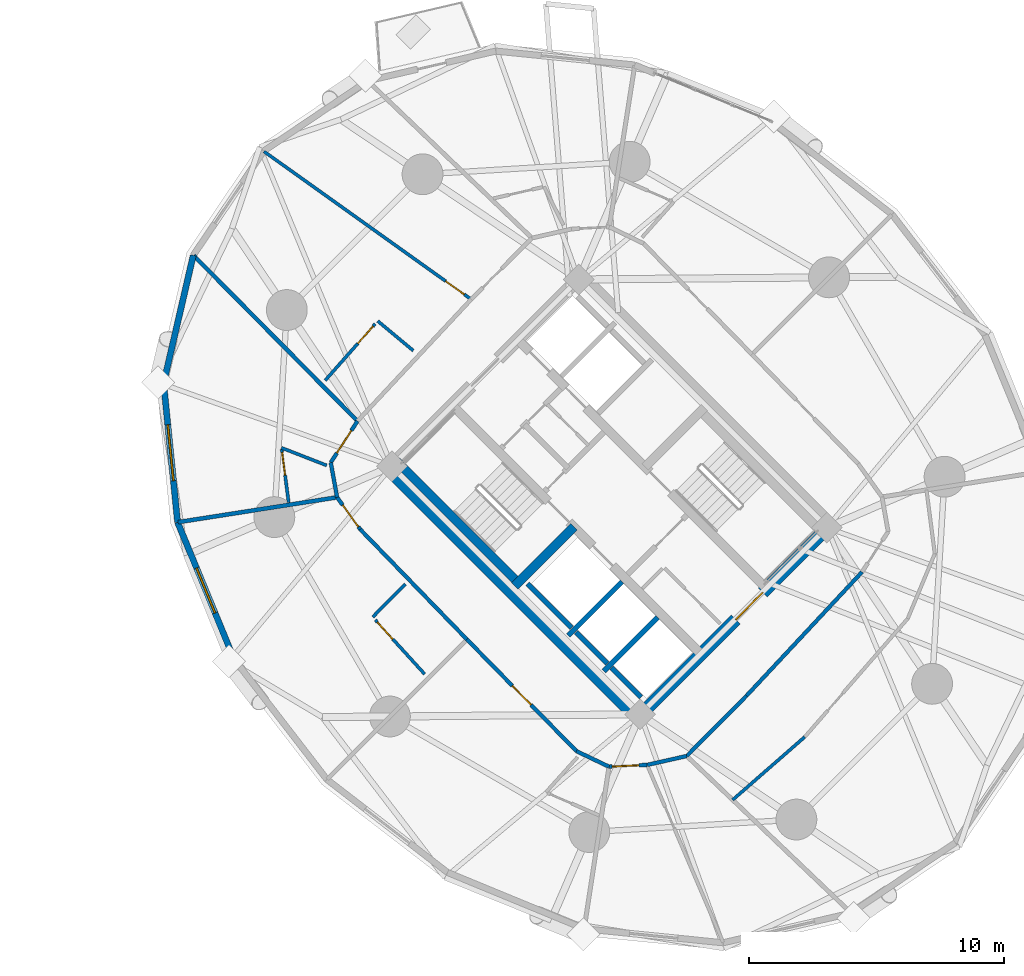
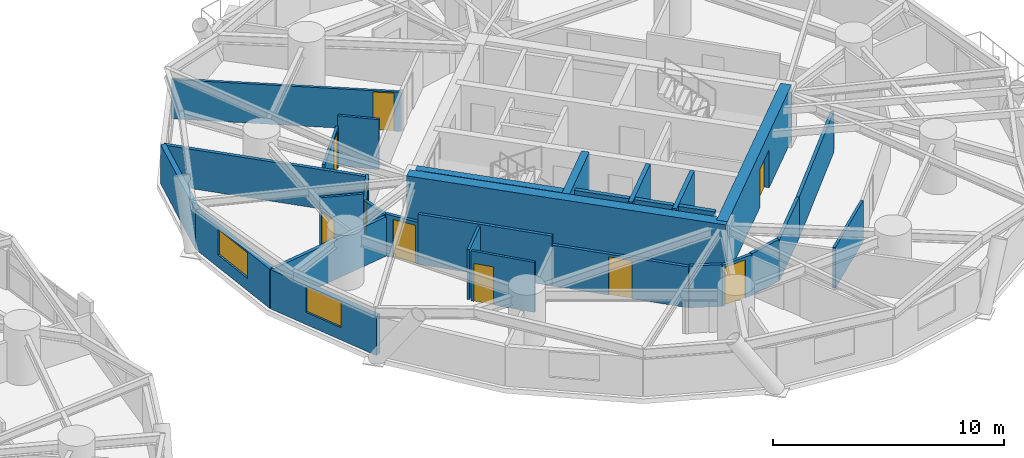
# One storey, part 13 of 19: 32 walls, 9 doors, 2 windows, 11 openings.
"""IFC4 building model written with IfcOpenShell, lengths in metres."""

from ifc_helpers import new_model, si_unit, direction, frame, frame_2d, origin, place, context, subcontext, project, spatial, rectangle, extrude, source, transform, mapped, material, layer, layer_set, type_object, element, fill, save


model = new_model("IFC4")

# Units and contexts
model_context = context("Model", 3, precision=1e-05, world=origin(), true_north=direction((0.0, 1.0)))
body_context = subcontext(model_context, "Body", "Model", "MODEL_VIEW")
ifc_project = project(units=[si_unit("LENGTHUNIT", "METRE"), si_unit("AREAUNIT", "SQUARE_METRE"), si_unit("VOLUMEUNIT", "CUBIC_METRE"), si_unit("PLANEANGLEUNIT", "RADIAN"), si_unit("MASSUNIT", "GRAM", prefix="KILO")], contexts=[model_context])

# Site, building, storey
site_placement = place(None, origin())
site = spatial("IfcSite", under=ifc_project, at=site_placement, CompositionType="ELEMENT")
building_placement = place(site_placement, origin())
building = spatial("IfcBuilding", under=site, at=building_placement, Name="Cununo Teusaquillo Station Towers", CompositionType="ELEMENT")
storey_placement = place(building_placement, frame((0.0, 0.0, 48.18994140625)))
storey = spatial("IfcBuildingStorey", under=building, at=storey_placement, Name="L14", CompositionType="ELEMENT", Elevation=48.18994140625)

# Walls
ifc_material_1 = material(Name="Concrete C50/60", Category="concrete")
ifc_layer_1 = layer(ifc_material_1, 0.199951171875)
ifc_layer_set_1 = layer_set([ifc_layer_1], Name="Concrete C50/60")
wall_type_1 = type_object("IfcWallType", Name="WL-CORE-200", PredefinedType="SHEAR", material=ifc_layer_set_1)
wall_1_placement = place(storey_placement, frame((55.8876953125, 19.0693359375, 0.0), z_axis=(0.0, 0.0, 1.0), x_axis=(0.707106781187, 0.707106781187, 0.0)))
element("IfcWall", 1, at=wall_1_placement, inside=storey, type_object=wall_type_1, Name="L14 Tower B Firefighting Lift Shaft South Shear Wall", PredefinedType="SHEAR", context=body_context, shape_type="SweptSolid", body=[
    extrude(rectangle(XDim=2.969970703125, YDim=0.199951171875, at=frame_2d((1.48486328125, 0.0))), origin(), (0.0, 0.0, 1.0), 2.91015625),
])
wall_2_placement = place(storey_placement, frame((56.01513671875, 19.366455078125, 0.0), z_axis=(0.0, 0.0, 1.0), x_axis=(-0.707106781187, 0.707106781187, 0.0)))
element("IfcWall", 2, at=wall_2_placement, inside=storey, type_object=wall_type_1, Name="L14 Tower B Firefighting Lift Shaft Rear Shear Wall", PredefinedType="SHEAR", context=body_context, shape_type="SweptSolid", body=[
    extrude(rectangle(XDim=2.43994140625, YDim=0.199951171875, at=frame_2d((1.219970703125, 0.0))), origin(), (0.0, 0.0, 1.0), 2.91015625),
])
wall_3_placement = place(storey_placement, frame((57.2841796875, 17.6728515625, 0.0), z_axis=(0.0, 0.0, 1.0), x_axis=(0.707147878904, 0.70706568108, 0.0)))
element("IfcWall", 3, at=wall_3_placement, inside=storey, type_object=wall_type_1, Name="L14 Tower B High-Rise Lift Hoistway Divider Shear Wall", PredefinedType="SHEAR", context=body_context, shape_type="SweptSolid", body=[
    extrude(rectangle(XDim=2.97021484375, YDim=0.199951171875, at=frame_2d((1.485107421875, 0.0))), origin(), (0.0, 0.0, 1.0), 2.91015625),
])
wall_4_placement = place(storey_placement, frame((57.41162109375, 17.969970703125, 0.0), z_axis=(0.0, 0.0, 1.0), x_axis=(-0.707106781187, 0.707106781187, 0.0)))
element("IfcWall", 4, at=wall_4_placement, inside=storey, type_object=wall_type_1, Name="L14 Tower B High-Rise Lift 2 Shaft Rear Shear Wall", PredefinedType="SHEAR", context=body_context, shape_type="SweptSolid", body=[
    extrude(rectangle(XDim=1.73486328125, YDim=0.199951171875, at=frame_2d((0.867431640625, 0.0))), origin(), (0.0, 0.0, 1.0), 2.91015625),
])
wall_5_placement = place(storey_placement, frame((58.7373046875, 16.64404296875, 0.0), z_axis=(0.0, 0.0, 1.0), x_axis=(-0.707032117043, 0.707181437447, 0.0)))
element("IfcWall", 5, at=wall_5_placement, inside=storey, type_object=wall_type_1, Name="L14 Tower B High-Rise Lift 1 Shaft Rear Shear Wall", PredefinedType="SHEAR", context=body_context, shape_type="SweptSolid", body=[
    extrude(rectangle(XDim=1.635009765625, YDim=0.199951171875, at=frame_2d((0.8173828125, 0.0))), origin(), (0.0, 0.0, 1.0), 2.91015625),
])
ifc_material_2 = material(Name="Concrete C50/60", Category="concrete")
ifc_layer_2 = layer(ifc_material_2, 0.35009765625)
ifc_layer_set_2 = layer_set([ifc_layer_2], Name="Concrete C50/60")
wall_type_2 = type_object("IfcWallType", Name="WL-CORE-350", PredefinedType="SHEAR", material=ifc_layer_set_2)
wall_6_placement = place(storey_placement, frame((53.922119140625, 21.14111328125, 0.0), z_axis=(0.0, 0.0, 1.0), x_axis=(-0.707106781187, 0.707106781187, 0.0)))
element("IfcWall", 6, at=wall_6_placement, inside=storey, type_object=wall_type_2, Name="L14 Tower B Core Shear Wall ST1W", PredefinedType="SHEAR", context=body_context, shape_type="SweptSolid", body=[
    extrude(rectangle(XDim=6.7451171875, YDim=0.35009765625, at=frame_2d((3.37255859375, 0.0))), origin(), (0.0, 0.0, 1.0), 2.91015625),
])
wall_7_placement = place(storey_placement, frame((53.7841796875, 21.00341796875, 0.0), z_axis=(0.0, 0.0, 1.0), x_axis=(0.707106781187, 0.707106781187, 0.0)))
element("IfcWall", 7, at=wall_7_placement, inside=storey, type_object=wall_type_2, Name="L14 Tower B Core Shear Wall ST1S", PredefinedType="SHEAR", context=body_context, shape_type="SweptSolid", body=[
    extrude(rectangle(XDim=3.284912109375, YDim=0.35009765625, at=frame_2d((1.642578125, 0.0))), origin(), (0.0, 0.0, 1.0), 2.91015625),
])
ifc_material_3 = material(Name="Concrete C60/75", Category="concrete")
ifc_layer_3 = layer(ifc_material_3, 0.5)
ifc_layer_set_3 = layer_set([ifc_layer_3], Name="Concrete C60/75")
wall_type_3 = type_object("IfcWallType", Name="WL-CORE-500", PredefinedType="SHEAR", material=ifc_layer_set_3)
wall_8_placement = place(storey_placement, frame((58.772705078125, 15.6611328125, 0.0), z_axis=(0.0, 0.0, 1.0), x_axis=(-0.707106781187, 0.707106781187, 0.0)))
element("IfcWall", 8, at=wall_8_placement, inside=storey, type_object=wall_type_3, Name="L14 Tower B Core Shear Wall W", PredefinedType="SHEAR", context=body_context, shape_type="SweptSolid", body=[
    extrude(rectangle(XDim=14.2998046875, YDim=0.5, at=frame_2d((7.14990234375, 0.0))), origin(), (0.0, 0.0, 1.0), 2.91015625),
])

# Wall, opening, door
wall_9_placement = place(storey_placement, frame((58.595947265625, 15.837890625, 0.0), z_axis=(0.0, 0.0, 1.0), x_axis=(0.707106781187, 0.707106781187, 0.0)))
wall_9 = element("IfcWall", 9, at=wall_9_placement, inside=storey, type_object=wall_type_3, Name="L14 Tower B Core Shear Wall S", PredefinedType="SHEAR", context=body_context, shape_type="SweptSolid", body=[
    extrude(rectangle(XDim=10.7001953125, YDim=0.5, at=frame_2d((5.35009765625, 0.0))), origin(), (0.0, 0.0, 1.0), 2.91015625),
])
shared_shape_1 = source(origin(), body_context, "Body", "SweptSolid", [
    extrude(rectangle(XDim=1.5, YDim=2.02001953125, at=frame_2d((0.75, 1.010009765625))), frame((0.0, 0.260009765625, 0.0), z_axis=(0.0, -1.0, 0.0), x_axis=(1.0, 0.0, 0.0)), (0.0, 0.0, 1.0), 0.52001953125),
])
opening_1_placement = place(wall_9_placement, frame((5.449951171875, 0.0, 0.0)))
opening_1 = element("IfcOpeningElement", 10, at=opening_1_placement, cuts=wall_9, Name="Opening D-LB1", PredefinedType="OPENING", context=body_context, shape_type="MappedRepresentation", body=[
    mapped(shared_shape_1, transform((0.0, 0.0, 0.0), x_axis=(1.0, 0.0, 0.0), y_axis=(0.0, 1.0, 0.0), z_axis=(0.0, 0.0, 1.0), scale=1.0)),
])
ifc_material_4 = material(Name="Galvanised fire-rated hollow steel door assembly", Category="steel")
door_type_1 = type_object("IfcDoorType", Name="DR-LOBBY-1500", OperationType="DOUBLE_DOOR_SINGLE_SWING", PredefinedType="DOOR", material=ifc_material_4)
shared_shape_2 = source(origin(), body_context, "Body", "SweptSolid", [
    extrude(rectangle(XDim=1.5, YDim=2.02001953125, at=frame_2d((0.75, 1.010009765625))), frame((0.0, 0.02490234375, 0.0), z_axis=(0.0, -1.0, 0.0), x_axis=(1.0, 0.0, 0.0)), (0.0, 0.0, 1.0), 0.050048828125),
])
door_1_placement = place(opening_1_placement, origin())
door_1 = element("IfcDoor", 11, at=door_1_placement, inside=storey, type_object=door_type_1, Name="L14 Tower B South Core Lift Lobby Door", OperationType="DOUBLE_DOOR_SINGLE_SWING", OverallHeight=2.02001953125, OverallWidth=1.5, PredefinedType="DOOR", context=body_context, shape_type="MappedRepresentation", body=[
    mapped(shared_shape_2, transform((0.0, 0.0, 0.0), x_axis=(1.0, 0.0, 0.0), y_axis=(0.0, 1.0, 0.0), z_axis=(0.0, 0.0, 1.0), scale=1.0)),
])
fill(opening_1, door_1)

# Wall
ifc_material_5 = material(Name="Precast concrete C40/50", Category="concrete")
ifc_layer_4 = layer(ifc_material_5, 0.239990234375)
ifc_layer_set_4 = layer_set([ifc_layer_4], Name="Precast concrete C40/50")
wall_type_4 = type_object("IfcWallType", Name="WL-EXT-240", PredefinedType="SOLIDWALL", material=ifc_layer_set_4)
wall_10_placement = place(storey_placement, frame((40.023681640625, 28.95654296875, 0.0), z_axis=(0.0, 0.0, 1.0), x_axis=(0.225833060959, 0.974166016949, 0.0)))
element("IfcWall", 12, at=wall_10_placement, inside=storey, type_object=wall_type_4, Name="L14 Tower B Exterior Facade Wall C06", PredefinedType="SOLIDWALL", context=body_context, shape_type="SweptSolid", body=[
    extrude(rectangle(XDim=5.14599609375, YDim=0.239990234375, at=frame_2d((2.572998046875, 0.0))), origin(), (0.0, 0.0, 1.0), 2.072998046875),
])

# Wall, opening, window
wall_11_placement = place(storey_placement, frame((40.572265625, 23.50732421875, 0.0), z_axis=(0.0, 0.0, 1.0), x_axis=(-0.100165739718, 0.994970765694, 0.0)))
wall_11 = element("IfcWall", 13, at=wall_11_placement, inside=storey, type_object=wall_type_4, Name="L14 Tower B Exterior Facade Wall C07", PredefinedType="SOLIDWALL", context=body_context, shape_type="SweptSolid", body=[
    extrude(rectangle(XDim=5.476806640625, YDim=0.239990234375, at=frame_2d((2.73828125, 0.0))), origin(), (0.0, 0.0, 1.0), 2.072998046875),
])
shared_shape_3 = source(origin(), body_context, "Body", "SweptSolid", [
    extrude(rectangle(XDim=2.199951171875, YDim=1.35009765625, at=frame_2d((1.10009765625, 0.675048828125))), frame((0.0, 0.1298828125, 0.0), z_axis=(0.0, -1.0, 0.0), x_axis=(1.0, 0.0, 0.0)), (0.0, 0.0, 1.0), 0.260009765625),
])
opening_2_placement = place(wall_11_placement, frame((1.637939453125, 0.0, 0.64990234375)))
opening_2 = element("IfcOpeningElement", 14, at=opening_2_placement, cuts=wall_11, Name="Opening WN-01", PredefinedType="OPENING", context=body_context, shape_type="MappedRepresentation", body=[
    mapped(shared_shape_3, transform((0.0, 0.0, 0.0), x_axis=(1.0, 0.0, 0.0), y_axis=(0.0, 1.0, 0.0), z_axis=(0.0, 0.0, 1.0), scale=1.0)),
])
ifc_material_6 = material(Name="Ceramic-fritted dark low-E double glazing", Category="glass")
window_type_1 = type_object("IfcWindowType", Name="WIN-FRIT-2200", PartitioningType="DOUBLE_PANEL_VERTICAL", PredefinedType="WINDOW", material=ifc_material_6)
shared_shape_4 = source(origin(), body_context, "Body", "SweptSolid", [
    extrude(rectangle(XDim=2.199951171875, YDim=1.35009765625, at=frame_2d((1.10009765625, 0.675048828125))), frame((0.0, 0.030029296875, 0.0), z_axis=(0.0, -1.0, 0.0), x_axis=(1.0, 0.0, 0.0)), (0.0, 0.0, 1.0), 0.06005859375),
])
window_1_placement = place(opening_2_placement, origin())
window_1 = element("IfcWindow", 15, at=window_1_placement, inside=storey, type_object=window_type_1, Name="L14 Tower B Facade Window C07", OverallHeight=1.35009765625, OverallWidth=2.199951171875, PartitioningType="DOUBLE_PANEL_VERTICAL", PredefinedType="WINDOW", context=body_context, shape_type="MappedRepresentation", body=[
    mapped(shared_shape_4, transform((0.0, 0.0, 0.0), x_axis=(1.0, 0.0, 0.0), y_axis=(0.0, 1.0, 0.0), z_axis=(0.0, 0.0, 1.0), scale=1.0)),
])
fill(opening_2, window_1)

wall_12_placement = place(storey_placement, frame((42.77783203125, 18.155517578125, 0.0), z_axis=(0.0, 0.0, 1.0), x_axis=(-0.381027682565, 0.924563629567, 0.0)))
wall_12 = element("IfcWall", 16, at=wall_12_placement, inside=storey, type_object=wall_type_4, Name="L14 Tower B Exterior Facade Wall C08", PredefinedType="SOLIDWALL", context=body_context, shape_type="SweptSolid", body=[
    extrude(rectangle(XDim=5.78857421875, YDim=0.239990234375, at=frame_2d((2.894287109375, 0.0))), origin(), (0.0, 0.0, 1.0), 2.072998046875),
])
shared_shape_5 = source(origin(), body_context, "Body", "SweptSolid", [
    extrude(rectangle(XDim=1.89990234375, YDim=1.35009765625, at=frame_2d((0.949951171875, 0.675048828125))), frame((0.0, 0.1298828125, 0.0), z_axis=(0.0, -1.0, 0.0), x_axis=(1.0, 0.0, 0.0)), (0.0, 0.0, 1.0), 0.260009765625),
])
opening_3_placement = place(wall_12_placement, frame((1.944091796875, 0.0, 0.64990234375)))
opening_3 = element("IfcOpeningElement", 17, at=opening_3_placement, cuts=wall_12, Name="Opening WN-02", PredefinedType="OPENING", context=body_context, shape_type="MappedRepresentation", body=[
    mapped(shared_shape_5, transform((0.0, 0.0, 0.0), x_axis=(1.0, 0.0, 0.0), y_axis=(0.0, 1.0, 0.0), z_axis=(0.0, 0.0, 1.0), scale=1.0)),
])
ifc_material_7 = material(Name="Operable acoustic tinted low-E double glazing", Category="glass")
window_type_2 = type_object("IfcWindowType", Name="WIN-OPER-1900", PartitioningType="DOUBLE_PANEL_VERTICAL", PredefinedType="WINDOW", material=ifc_material_7)
shared_shape_6 = source(origin(), body_context, "Body", "SweptSolid", [
    extrude(rectangle(XDim=1.89990234375, YDim=1.35009765625, at=frame_2d((0.949951171875, 0.675048828125))), frame((0.0, 0.030029296875, 0.0), z_axis=(0.0, -1.0, 0.0), x_axis=(1.0, 0.0, 0.0)), (0.0, 0.0, 1.0), 0.06005859375),
])
window_2_placement = place(opening_3_placement, origin())
window_2 = element("IfcWindow", 18, at=window_2_placement, inside=storey, type_object=window_type_2, Name="L14 Tower B Facade Window C08", OverallHeight=1.35009765625, OverallWidth=1.89990234375, PartitioningType="DOUBLE_PANEL_VERTICAL", PredefinedType="WINDOW", context=body_context, shape_type="MappedRepresentation", body=[
    mapped(shared_shape_6, transform((0.0, 0.0, 0.0), x_axis=(1.0, 0.0, 0.0), y_axis=(0.0, 1.0, 0.0), z_axis=(0.0, 0.0, 1.0), scale=1.0)),
])
fill(opening_3, window_2)

# Wall, opening, door
ifc_material_8 = material(Name="Fire-rated gypsum plasterboard partition assembly", Category="gypsum")
ifc_layer_5 = layer(ifc_material_8, 0.125)
ifc_layer_set_5 = layer_set([ifc_layer_5], Name="Fire-rated gypsum plasterboard partition assembly")
wall_type_5 = type_object("IfcWallType", Name="WL-PART-125", PredefinedType="PARTITIONING", material=ifc_layer_set_5)
wall_13_placement = place(storey_placement, frame((52.078857421875, 32.244384765625, 0.0), z_axis=(0.0, 0.0, 1.0), x_axis=(-0.813888867537, 0.581020577346, 0.0)))
wall_13 = element("IfcWall", 19, at=wall_13_placement, inside=storey, type_object=wall_type_5, Name="L14 Tower B Presidential Hospitality Suite Suite Subdividing Wall", PredefinedType="PARTITIONING", context=body_context, shape_type="SweptSolid", body=[
    extrude(rectangle(XDim=9.9765625, YDim=0.125, at=frame_2d((4.98828125, 0.0))), origin(), (0.0, 0.0, 1.0), 2.072998046875),
])
shared_shape_7 = source(origin(), body_context, "Body", "SweptSolid", [
    extrude(rectangle(XDim=0.89990234375, YDim=2.0048828125, at=frame_2d((0.449951171875, 1.00244140625))), frame((0.0, 0.072509765625, 0.0), z_axis=(0.0, -1.0, 0.0), x_axis=(1.0, 0.0, 0.0)), (0.0, 0.0, 1.0), 0.14501953125),
])
opening_4_placement = place(wall_13_placement, frame((0.330078125, 0.0, 0.0)))
opening_4 = element("IfcOpeningElement", 20, at=opening_4_placement, cuts=wall_13, Name="Opening D-IN1", PredefinedType="OPENING", context=body_context, shape_type="MappedRepresentation", body=[
    mapped(shared_shape_7, transform((0.0, 0.0, 0.0), x_axis=(1.0, 0.0, 0.0), y_axis=(0.0, 1.0, 0.0), z_axis=(0.0, 0.0, 1.0), scale=1.0)),
])
ifc_material_9 = material(Name="Acoustic solid-core hardwood leaf assembly", Category="wood")
door_type_2 = type_object("IfcDoorType", Name="DR-INT-900", OperationType="NOTDEFINED", PredefinedType="DOOR", material=ifc_material_9)
shared_shape_8 = source(origin(), body_context, "Body", "SweptSolid", [
    extrude(rectangle(XDim=0.89990234375, YDim=2.0048828125, at=frame_2d((0.449951171875, 1.00244140625))), frame((0.0, 0.02490234375, 0.0), z_axis=(0.0, -1.0, 0.0), x_axis=(1.0, 0.0, 0.0)), (0.0, 0.0, 1.0), 0.050048828125),
])
door_2_placement = place(opening_4_placement, origin())
door_2 = element("IfcDoor", 21, at=door_2_placement, inside=storey, type_object=door_type_2, Name="L14 Tower B Presidential Hospitality Suite Suite Connecting Door", OperationType="SINGLE_SWING_LEFT", OverallHeight=2.0048828125, OverallWidth=0.89990234375, PredefinedType="DOOR", context=body_context, shape_type="MappedRepresentation", body=[
    mapped(shared_shape_8, transform((0.0, 0.0, 0.0), x_axis=(1.0, 0.0, 0.0), y_axis=(0.0, 1.0, 0.0), z_axis=(0.0, 0.0, 1.0), scale=1.0)),
])
fill(opening_4, door_2)

# Wall
wall_14_placement = place(storey_placement, frame((49.80908203125, 30.234130859375, 0.0), z_axis=(0.0, 0.0, 1.0), x_axis=(-0.76830950514, 0.640078514177, 0.0)))
element("IfcWall", 22, at=wall_14_placement, inside=storey, type_object=wall_type_5, Name="L14 Tower B S02 En-suite Side Wall", PredefinedType="PARTITIONING", context=body_context, shape_type="SweptSolid", body=[
    extrude(rectangle(XDim=1.814453125, YDim=0.125, at=frame_2d((0.9072265625, 0.0))), origin(), (0.0, 0.0, 1.0), 2.635009765625),
])

# Wall, opening, door
wall_15_placement = place(storey_placement, frame((48.312744140625, 31.2802734375, 0.0), z_axis=(0.0, 0.0, 1.0), x_axis=(-0.662230126621, -0.749300513409, 0.0)))
wall_15 = element("IfcWall", 23, at=wall_15_placement, inside=storey, type_object=wall_type_5, Name="L14 Tower B S02 En-suite Back Wall", PredefinedType="PARTITIONING", context=body_context, shape_type="SweptSolid", body=[
    extrude(rectangle(XDim=2.958251953125, YDim=0.125, at=frame_2d((1.47900390625, 0.0))), origin(), (0.0, 0.0, 1.0), 2.1591796875),
])
opening_5_placement = place(wall_15_placement, frame((0.1201171875, 0.0, 0.0)))
opening_5 = element("IfcOpeningElement", 24, at=opening_5_placement, cuts=wall_15, Name="Opening D-IN1", PredefinedType="OPENING", context=body_context, shape_type="MappedRepresentation", body=[
    mapped(shared_shape_7, transform((0.0, 0.0, 0.0), x_axis=(1.0, 0.0, 0.0), y_axis=(0.0, 1.0, 0.0), z_axis=(0.0, 0.0, 1.0), scale=1.0)),
])
door_3_placement = place(opening_5_placement, origin())
door_3 = element("IfcDoor", 25, at=door_3_placement, inside=storey, type_object=door_type_2, Name="L14 Tower B S02 En-suite Bathroom Door", OperationType="SINGLE_SWING_RIGHT", OverallHeight=2.0048828125, OverallWidth=0.89990234375, PredefinedType="DOOR", context=body_context, shape_type="MappedRepresentation", body=[
    mapped(shared_shape_8, transform((0.0, 0.0, 0.0), x_axis=(1.0, 0.0, 0.0), y_axis=(0.0, 1.0, 0.0), z_axis=(0.0, 0.0, 1.0), scale=1.0)),
])
fill(opening_5, door_3)

# Wall
wall_16_placement = place(storey_placement, frame((46.415771484375, 25.734619140625, 0.0), z_axis=(0.0, 0.0, 1.0), x_axis=(-0.931623241188, 0.363425558373, 0.0)))
element("IfcWall", 26, at=wall_16_placement, inside=storey, type_object=wall_type_5, Name="L14 Tower B S03 En-suite Side Wall", PredefinedType="PARTITIONING", context=body_context, shape_type="SweptSolid", body=[
    extrude(rectangle(XDim=1.900390625, YDim=0.125, at=frame_2d((0.9501953125, 0.0))), origin(), (0.0, 0.0, 1.0), 2.635009765625),
])

# Wall, opening, door
wall_17_placement = place(storey_placement, frame((44.653564453125, 26.360595703125, 0.0), z_axis=(0.0, 0.0, 1.0), x_axis=(0.129433729192, -0.991588074629, 0.0)))
wall_17 = element("IfcWall", 27, at=wall_17_placement, inside=storey, type_object=wall_type_5, Name="L14 Tower B S03 En-suite Back Wall", PredefinedType="PARTITIONING", context=body_context, shape_type="SweptSolid", body=[
    extrude(rectangle(XDim=2.097412109375, YDim=0.125, at=frame_2d((1.048828125, 0.0))), origin(), (0.0, 0.0, 1.0), 2.072998046875),
])
opening_6_placement = place(wall_17_placement, frame((0.1201171875, 0.0, 0.0)))
opening_6 = element("IfcOpeningElement", 28, at=opening_6_placement, cuts=wall_17, Name="Opening D-IN1", PredefinedType="OPENING", context=body_context, shape_type="MappedRepresentation", body=[
    mapped(shared_shape_7, transform((0.0, 0.0, 0.0), x_axis=(1.0, 0.0, 0.0), y_axis=(0.0, 1.0, 0.0), z_axis=(0.0, 0.0, 1.0), scale=1.0)),
])
door_4_placement = place(opening_6_placement, origin())
door_4 = element("IfcDoor", 29, at=door_4_placement, inside=storey, type_object=door_type_2, Name="L14 Tower B S03 En-suite Bathroom Door", OperationType="SINGLE_SWING_RIGHT", OverallHeight=2.0048828125, OverallWidth=0.89990234375, PredefinedType="DOOR", context=body_context, shape_type="MappedRepresentation", body=[
    mapped(shared_shape_8, transform((0.0, 0.0, 0.0), x_axis=(1.0, 0.0, 0.0), y_axis=(0.0, 1.0, 0.0), z_axis=(0.0, 0.0, 1.0), scale=1.0)),
])
fill(opening_6, door_4)

# Wall
wall_18_placement = place(storey_placement, frame((49.498291015625, 21.087158203125, 0.0), z_axis=(0.0, 0.0, 1.0), x_axis=(-0.702129708151, -0.71204906638, 0.0)))
element("IfcWall", 30, at=wall_18_placement, inside=storey, type_object=wall_type_5, Name="L14 Tower B S04 En-suite Side Wall", PredefinedType="PARTITIONING", context=body_context, shape_type="SweptSolid", body=[
    extrude(rectangle(XDim=1.8212890625, YDim=0.125, at=frame_2d((0.91064453125, 0.0))), origin(), (0.0, 0.0, 1.0), 2.635009765625),
])

# Wall, opening, door
wall_19_placement = place(storey_placement, frame((48.3203125, 19.6796875, 0.0), z_axis=(0.0, 0.0, 1.0), x_axis=(0.673403410236, -0.739275217414, 0.0)))
wall_19 = element("IfcWall", 31, at=wall_19_placement, inside=storey, type_object=wall_type_5, Name="L14 Tower B S04 En-suite Back Wall", PredefinedType="PARTITIONING", context=body_context, shape_type="SweptSolid", body=[
    extrude(rectangle(XDim=2.8759765625, YDim=0.125, at=frame_2d((1.43798828125, 0.0))), origin(), (0.0, 0.0, 1.0), 2.635009765625),
])
opening_7_placement = place(wall_19_placement, frame((0.1201171875, 0.0, 0.0)))
opening_7 = element("IfcOpeningElement", 32, at=opening_7_placement, cuts=wall_19, Name="Opening D-IN1", PredefinedType="OPENING", context=body_context, shape_type="MappedRepresentation", body=[
    mapped(shared_shape_7, transform((0.0, 0.0, 0.0), x_axis=(1.0, 0.0, 0.0), y_axis=(0.0, 1.0, 0.0), z_axis=(0.0, 0.0, 1.0), scale=1.0)),
])
door_5_placement = place(opening_7_placement, origin())
door_5 = element("IfcDoor", 33, at=door_5_placement, inside=storey, type_object=door_type_2, Name="L14 Tower B S04 En-suite Bathroom Door", OperationType="SINGLE_SWING_RIGHT", OverallHeight=2.0048828125, OverallWidth=0.89990234375, PredefinedType="DOOR", context=body_context, shape_type="MappedRepresentation", body=[
    mapped(shared_shape_8, transform((0.0, 0.0, 0.0), x_axis=(1.0, 0.0, 0.0), y_axis=(0.0, 1.0, 0.0), z_axis=(0.0, 0.0, 1.0), scale=1.0)),
])
fill(opening_7, door_5)

# Wall
wall_20_placement = place(storey_placement, frame((62.328857421875, 12.625, 0.0), z_axis=(0.0, 0.0, 1.0), x_axis=(0.753237140985, 0.657749047465, 0.0)))
element("IfcWall", 34, at=wall_20_placement, inside=storey, type_object=wall_type_5, Name="L14 Tower B Hotel Housekeeping & Linen Pantry Concentric Partition Wall C14", PredefinedType="PARTITIONING", context=body_context, shape_type="SweptSolid", body=[
    extrude(rectangle(XDim=3.75341796875, YDim=0.125, at=frame_2d((1.876708984375, 0.0))), origin(), (0.0, 0.0, 1.0), 2.1591796875),
])

# Wall, opening, door
ifc_material_10 = material(Name="Fire-rated gypsum plasterboard partition assembly", Category="gypsum")
ifc_layer_6 = layer(ifc_material_10, 0.14990234375)
ifc_layer_set_6 = layer_set([ifc_layer_6], Name="Fire-rated gypsum plasterboard partition assembly")
wall_type_6 = type_object("IfcWallType", Name="WL-PART-150", PredefinedType="PARTITIONING", material=ifc_layer_set_6)
wall_21_placement = place(storey_placement, frame((47.623046875, 27.475341796875, 0.0), z_axis=(0.0, 0.0, 1.0), x_axis=(-0.54158041545, -0.840648947898, 0.0)))
wall_21 = element("IfcWall", 35, at=wall_21_placement, inside=storey, type_object=wall_type_6, Name="L14 Tower B Corridor Ring Wall C06", PredefinedType="PARTITIONING", context=body_context, shape_type="SweptSolid", body=[
    extrude(rectangle(XDim=1.933837890625, YDim=0.14990234375, at=frame_2d((0.966796875, 0.0))), origin(), (0.0, 0.0, 1.0), 2.1591796875),
])
shared_shape_9 = source(origin(), body_context, "Body", "SweptSolid", [
    extrude(rectangle(XDim=1.050048828125, YDim=2.014892578125, at=frame_2d((0.52490234375, 1.00732421875))), frame((0.0, 0.0849609375, 0.0), z_axis=(0.0, -1.0, 0.0), x_axis=(1.0, 0.0, 0.0)), (0.0, 0.0, 1.0), 0.169921875),
])
opening_8_placement = place(wall_21_placement, frame((0.44189453125, 0.0, 0.0)))
opening_8 = element("IfcOpeningElement", 36, at=opening_8_placement, cuts=wall_21, Name="Opening D-SU1", PredefinedType="OPENING", context=body_context, shape_type="MappedRepresentation", body=[
    mapped(shared_shape_9, transform((0.0, 0.0, 0.0), x_axis=(1.0, 0.0, 0.0), y_axis=(0.0, 1.0, 0.0), z_axis=(0.0, 0.0, 1.0), scale=1.0)),
])
ifc_material_11 = material(Name="Acoustic solid-core hardwood leaf assembly", Category="wood")
door_type_3 = type_object("IfcDoorType", Name="DR-SUITE-1050", OperationType="NOTDEFINED", PredefinedType="DOOR", material=ifc_material_11)
shared_shape_10 = source(origin(), body_context, "Body", "SweptSolid", [
    extrude(rectangle(XDim=1.050048828125, YDim=2.014892578125, at=frame_2d((0.52490234375, 1.00732421875))), frame((0.0, 0.02490234375, 0.0), z_axis=(0.0, -1.0, 0.0), x_axis=(1.0, 0.0, 0.0)), (0.0, 0.0, 1.0), 0.050048828125),
])
door_6_placement = place(opening_8_placement, origin())
door_6 = element("IfcDoor", 37, at=door_6_placement, inside=storey, type_object=door_type_3, Name="L14 Tower B Chancellor Corner Hotel Suite Entrance Door", OperationType="SINGLE_SWING_LEFT", OverallHeight=2.014892578125, OverallWidth=1.050048828125, PredefinedType="DOOR", context=body_context, shape_type="MappedRepresentation", body=[
    mapped(shared_shape_10, transform((0.0, 0.0, 0.0), x_axis=(1.0, 0.0, 0.0), y_axis=(0.0, 1.0, 0.0), z_axis=(0.0, 0.0, 1.0), scale=1.0)),
])
fill(opening_8, door_6)

# Wall
wall_22_placement = place(storey_placement, frame((46.57568359375, 25.849609375, 0.0), z_axis=(0.0, 0.0, 1.0), x_axis=(0.178962865041, -0.983855829345, 0.0)))
element("IfcWall", 38, at=wall_22_placement, inside=storey, type_object=wall_type_6, Name="L14 Tower B Corridor Ring Wall C07", PredefinedType="PARTITIONING", context=body_context, shape_type="SweptSolid", body=[
    extrude(rectangle(XDim=1.387451171875, YDim=0.14990234375, at=frame_2d((0.69384765625, 0.0))), origin(), (0.0, 0.0, 1.0), 2.1591796875),
])

# Wall, opening, door
wall_23_placement = place(storey_placement, frame((46.823974609375, 24.484619140625, 0.0), z_axis=(0.0, 0.0, 1.0), x_axis=(0.584890953925, -0.811111935565, 0.0)))
wall_23 = element("IfcWall", 39, at=wall_23_placement, inside=storey, type_object=wall_type_6, Name="L14 Tower B Corridor Ring Wall C08", PredefinedType="PARTITIONING", context=body_context, shape_type="SweptSolid", body=[
    extrude(rectangle(XDim=1.546630859375, YDim=0.14990234375, at=frame_2d((0.7734375, 0.0))), origin(), (0.0, 0.0, 1.0), 2.205078125),
])
opening_9_placement = place(wall_23_placement, frame((0.376708984375, 0.0, 0.0)))
opening_9 = element("IfcOpeningElement", 40, at=opening_9_placement, cuts=wall_23, Name="Opening D-SU1", PredefinedType="OPENING", context=body_context, shape_type="MappedRepresentation", body=[
    mapped(shared_shape_9, transform((0.0, 0.0, 0.0), x_axis=(1.0, 0.0, 0.0), y_axis=(0.0, 1.0, 0.0), z_axis=(0.0, 0.0, 1.0), scale=1.0)),
])
door_7_placement = place(opening_9_placement, origin())
door_7 = element("IfcDoor", 41, at=door_7_placement, inside=storey, type_object=door_type_3, Name="L14 Tower B Consular Hospitality Suite Entrance Door", OperationType="SINGLE_SWING_LEFT", OverallHeight=2.014892578125, OverallWidth=1.050048828125, PredefinedType="DOOR", context=body_context, shape_type="MappedRepresentation", body=[
    mapped(shared_shape_10, transform((0.0, 0.0, 0.0), x_axis=(1.0, 0.0, 0.0), y_axis=(0.0, 1.0, 0.0), z_axis=(0.0, 0.0, 1.0), scale=1.0)),
])
fill(opening_9, door_7)

# Wall
wall_24_placement = place(storey_placement, frame((47.728515625, 23.230224609375, 0.0), z_axis=(0.0, 0.0, 1.0), x_axis=(0.696119834292, -0.717925606386, 0.0)))
element("IfcWall", 42, at=wall_24_placement, inside=storey, type_object=wall_type_6, Name="L14 Tower B Corridor Ring Wall C09", PredefinedType="PARTITIONING", context=body_context, shape_type="SweptSolid", body=[
    extrude(rectangle(XDim=6.012451171875, YDim=0.14990234375, at=frame_2d((3.00634765625, 0.0))), origin(), (0.0, 0.0, 1.0), 2.635009765625),
])

# Wall, opening, door
wall_25_placement = place(storey_placement, frame((51.913818359375, 18.913818359375, 0.0), z_axis=(0.0, 0.0, 1.0), x_axis=(0.6999614951, -0.71418058317, 0.0)))
wall_25 = element("IfcWall", 43, at=wall_25_placement, inside=storey, type_object=wall_type_6, Name="L14 Tower B Corridor Ring Wall C10", PredefinedType="PARTITIONING", context=body_context, shape_type="SweptSolid", body=[
    extrude(rectangle(XDim=6.129638671875, YDim=0.14990234375, at=frame_2d((3.06494140625, 0.0))), origin(), (0.0, 0.0, 1.0), 2.1591796875),
])
opening_10_placement = place(wall_25_placement, frame((2.539794921875, 0.0, 0.0)))
opening_10 = element("IfcOpeningElement", 44, at=opening_10_placement, cuts=wall_25, Name="Opening D-SU1", PredefinedType="OPENING", context=body_context, shape_type="MappedRepresentation", body=[
    mapped(shared_shape_9, transform((0.0, 0.0, 0.0), x_axis=(1.0, 0.0, 0.0), y_axis=(0.0, 1.0, 0.0), z_axis=(0.0, 0.0, 1.0), scale=1.0)),
])
door_8_placement = place(opening_10_placement, origin())
door_8 = element("IfcDoor", 45, at=door_8_placement, inside=storey, type_object=door_type_3, Name="L14 Tower B Regent Corner Hotel Suite Entrance Door", OperationType="SINGLE_SWING_LEFT", OverallHeight=2.014892578125, OverallWidth=1.050048828125, PredefinedType="DOOR", context=body_context, shape_type="MappedRepresentation", body=[
    mapped(shared_shape_10, transform((0.0, 0.0, 0.0), x_axis=(1.0, 0.0, 0.0), y_axis=(0.0, 1.0, 0.0), z_axis=(0.0, 0.0, 1.0), scale=1.0)),
])
fill(opening_10, door_8)

# Wall
wall_26_placement = place(storey_placement, frame((56.204345703125, 14.5361328125, 0.0), z_axis=(0.0, 0.0, 1.0), x_axis=(0.902244982981, -0.431223828986, 0.0)))
element("IfcWall", 46, at=wall_26_placement, inside=storey, type_object=wall_type_6, Name="L14 Tower B Corridor Ring Wall C11", PredefinedType="PARTITIONING", context=body_context, shape_type="SweptSolid", body=[
    extrude(rectangle(XDim=1.4169921875, YDim=0.14990234375, at=frame_2d((0.70849609375, 0.0))), origin(), (0.0, 0.0, 1.0), 2.205078125),
])

# Wall, opening, door
wall_27_placement = place(storey_placement, frame((57.48291015625, 13.925048828125, 0.0), z_axis=(0.0, 0.0, 1.0), x_axis=(0.998884345706, 0.047223552414, 0.0)))
wall_27 = element("IfcWall", 47, at=wall_27_placement, inside=storey, type_object=wall_type_6, Name="L14 Tower B Corridor Ring Wall C12", PredefinedType="PARTITIONING", context=body_context, shape_type="SweptSolid", body=[
    extrude(rectangle(XDim=1.494140625, YDim=0.14990234375, at=frame_2d((0.7470703125, 0.0))), origin(), (0.0, 0.0, 1.0), 2.1591796875),
])
opening_11_placement = place(wall_27_placement, frame((0.1201171875, 0.0, 0.0)))
opening_11 = element("IfcOpeningElement", 48, at=opening_11_placement, cuts=wall_27, Name="Opening D-SU1", PredefinedType="OPENING", context=body_context, shape_type="MappedRepresentation", body=[
    mapped(shared_shape_9, transform((0.0, 0.0, 0.0), x_axis=(1.0, 0.0, 0.0), y_axis=(0.0, 1.0, 0.0), z_axis=(0.0, 0.0, 1.0), scale=1.0)),
])
door_9_placement = place(opening_11_placement, origin())
door_9 = element("IfcDoor", 49, at=door_9_placement, inside=storey, type_object=door_type_3, Name="L14 Tower B Hotel Sommelier & Wine Salon Entrance Door", OperationType="SINGLE_SWING_LEFT", OverallHeight=2.014892578125, OverallWidth=1.050048828125, PredefinedType="DOOR", context=body_context, shape_type="MappedRepresentation", body=[
    mapped(shared_shape_10, transform((0.0, 0.0, 0.0), x_axis=(1.0, 0.0, 0.0), y_axis=(0.0, 1.0, 0.0), z_axis=(0.0, 0.0, 1.0), scale=1.0)),
])
fill(opening_11, door_9)

# Walls
wall_28_placement = place(storey_placement, frame((58.975341796875, 13.99560546875, 0.0), z_axis=(0.0, 0.0, 1.0), x_axis=(0.975700857392, 0.219106907431, 0.0)))
element("IfcWall", 50, at=wall_28_placement, inside=storey, type_object=wall_type_6, Name="L14 Tower B Corridor Ring Wall C13", PredefinedType="PARTITIONING", context=body_context, shape_type="SweptSolid", body=[
    extrude(rectangle(XDim=1.591064453125, YDim=0.14990234375, at=frame_2d((0.79541015625, 0.0))), origin(), (0.0, 0.0, 1.0), 2.205078125),
])
wall_29_placement = place(storey_placement, frame((60.52783203125, 14.34423828125, 0.0), z_axis=(0.0, 0.0, 1.0), x_axis=(0.704381645997, 0.709821454158, 0.0)))
element("IfcWall", 51, at=wall_29_placement, inside=storey, type_object=wall_type_6, Name="L14 Tower B Corridor Ring Wall C14", PredefinedType="PARTITIONING", context=body_context, shape_type="SweptSolid", body=[
    extrude(rectangle(XDim=3.321044921875, YDim=0.14990234375, at=frame_2d((1.66064453125, 0.0))), origin(), (0.0, 0.0, 1.0), 2.1591796875),
])
wall_30_placement = place(storey_placement, frame((62.8671875, 16.70166015625, 0.0), z_axis=(0.0, 0.0, 1.0), x_axis=(0.682449206191, 0.73093302085, 0.0)))
element("IfcWall", 52, at=wall_30_placement, inside=storey, type_object=wall_type_6, Name="L14 Tower B Corridor Ring Wall C15", PredefinedType="PARTITIONING", context=body_context, shape_type="SweptSolid", body=[
    extrude(rectangle(XDim=6.641845703125, YDim=0.14990234375, at=frame_2d((3.32080078125, 0.0))), origin(), (0.0, 0.0, 1.0), 2.1591796875),
])
ifc_material_12 = material(Name="Fire-rated gypsum plasterboard partition assembly", Category="gypsum")
ifc_layer_7 = layer(ifc_material_12, 0.159912109375)
ifc_layer_set_7 = layer_set([ifc_layer_7], Name="Fire-rated gypsum plasterboard partition assembly")
wall_type_7 = type_object("IfcWallType", Name="WL-PART-160", PredefinedType="PARTITIONING", material=ifc_layer_set_7)
wall_31_placement = place(storey_placement, frame((47.623046875, 27.475341796875, 0.0), z_axis=(0.0, 0.0, 1.0), x_axis=(-0.703512438021, 0.71068294587, 0.0)))
element("IfcWall", 53, at=wall_31_placement, inside=storey, type_object=wall_type_7, Name="L14 Tower B Radial Suite Partition R04", PredefinedType="PARTITIONING", context=body_context, shape_type="SweptSolid", body=[
    extrude(rectangle(XDim=9.124755859375, YDim=0.159912109375, at=frame_2d((4.5625, 0.0))), origin(), (0.0, 0.0, 1.0), 2.072998046875),
])
wall_32_placement = place(storey_placement, frame((46.823974609375, 24.484619140625, 0.0), z_axis=(0.0, 0.0, 1.0), x_axis=(-0.988003730645, -0.154430010784, 0.0)))
element("IfcWall", 54, at=wall_32_placement, inside=storey, type_object=wall_type_7, Name="L14 Tower B Radial Suite Partition R05", PredefinedType="PARTITIONING", context=body_context, shape_type="SweptSolid", body=[
    extrude(rectangle(XDim=6.307861328125, YDim=0.159912109375, at=frame_2d((3.15380859375, 0.0))), origin(), (0.0, 0.0, 1.0), 2.072998046875),
])

save(model, "model.ifc")
